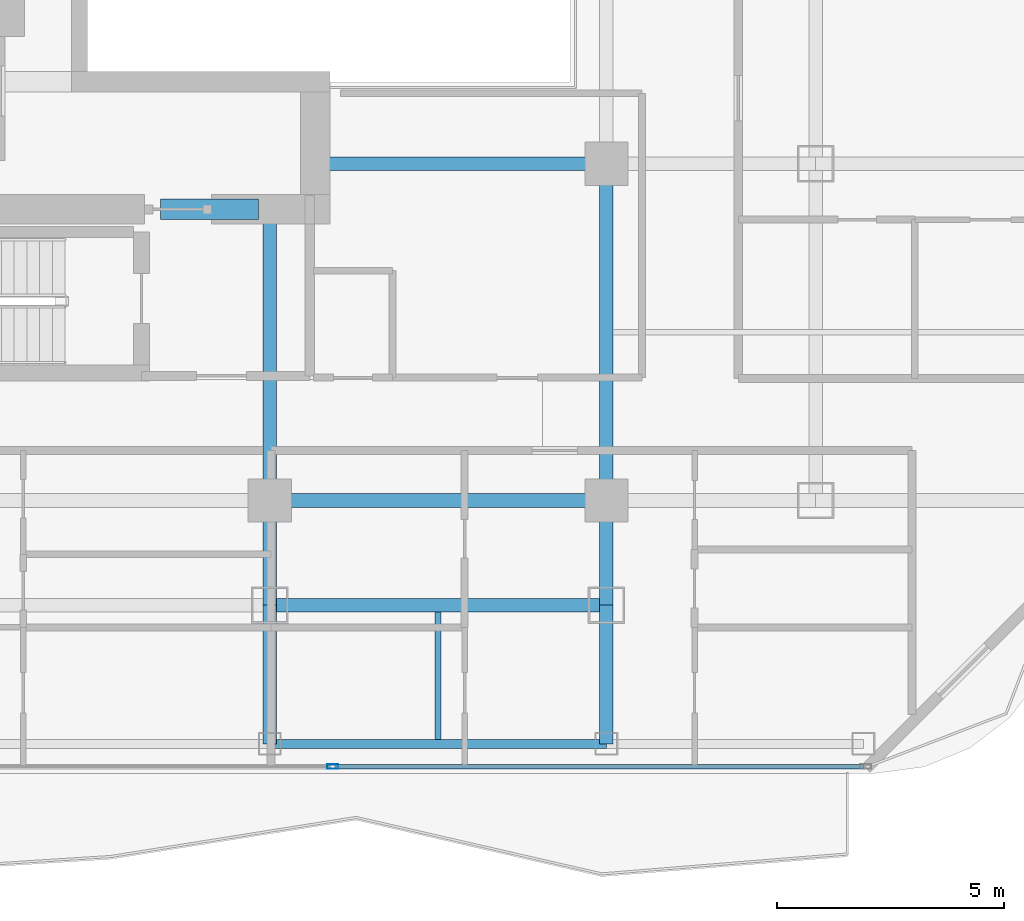
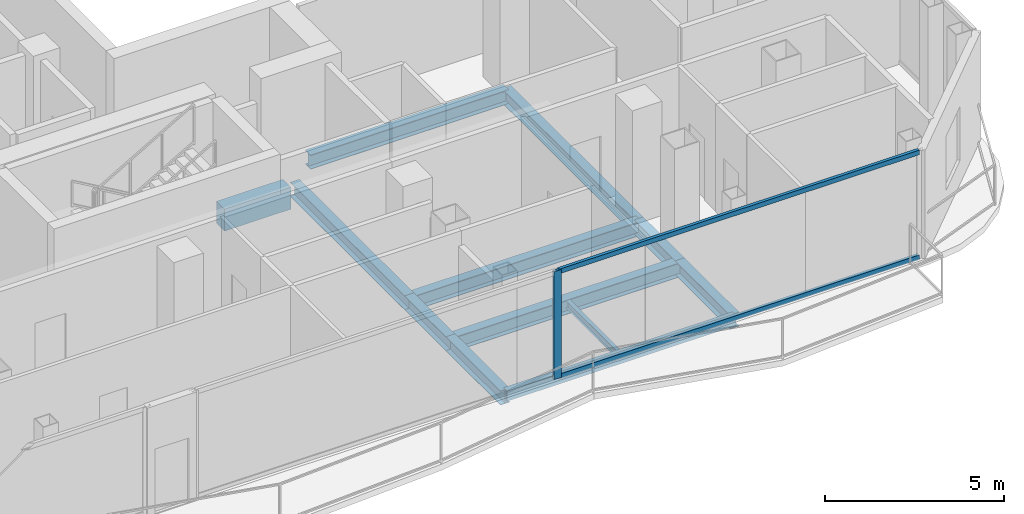
# One storey, part 4 of 23: 12 beams, 3 members, 1 element without a shape of its own.
"""IFC4 building model written with IfcOpenShell, lengths in metres."""

from ifc_helpers import new_model, si_unit, direction, frame, origin, origin_2d, place, context, subcontext, project, spatial, rectangle, hollow_rectangle, i_section, extrude, material, layer, layer_set, material_profile, profile_set, type_object, element, aggregate, save


model = new_model("IFC4")

# Units and contexts
model_context = context("Model", 3, precision=1e-05, world=origin(), true_north=direction((0.0, 1.0)))
body_context = subcontext(model_context, "Body", "Model", "MODEL_VIEW")
ifc_project = project(units=[si_unit("LENGTHUNIT", "METRE"), si_unit("AREAUNIT", "SQUARE_METRE"), si_unit("VOLUMEUNIT", "CUBIC_METRE"), si_unit("PLANEANGLEUNIT", "RADIAN"), si_unit("MASSUNIT", "GRAM", prefix="KILO")], contexts=[model_context])

# Site, building, storey
site_placement = place(None, origin())
site = spatial("IfcSite", under=ifc_project, at=site_placement, CompositionType="ELEMENT")
building_placement = place(site_placement, origin())
building = spatial("IfcBuilding", under=site, at=building_placement, Name="Khorvyn Point Tower", CompositionType="ELEMENT")
storey_placement = place(building_placement, frame((0.0, 0.0, 258.60009765625)))
storey = spatial("IfcBuildingStorey", under=building, at=storey_placement, Name="L63", CompositionType="ELEMENT", Elevation=258.60009765625)

# Curtain wall, members
ifc_material_1 = material(Name="Anodised aluminium 6063-T6 and laminated Low-E glass", Category="aluminium")
ifc_layer = layer(ifc_material_1, 0.18994140625)
ifc_layer_set = layer_set([ifc_layer], Name="Stick-Built High-Wind Curtain Wall CW-SYS-04")
curtain_wall_type = type_object("IfcCurtainWallType", Name="Stick-Built High-Wind Curtain Wall CW-SYS-04", PredefinedType="NOTDEFINED", material=ifc_layer_set)
curtain_wall_placement = place(storey_placement, origin())
curtain_wall = element("IfcCurtainWall", 1, at=curtain_wall_placement, inside=storey, type_object=curtain_wall_type, Name="Curtain Wall", PredefinedType="NOTDEFINED")
ifc_material_2 = material(Name="Anodised aluminium 6063-T6", Category="aluminium")
ifc_material_profile_1 = material_profile(ifc_material_2, hollow_rectangle(XDim=0.10009765625, YDim=0.239990234375, WallThickness=0.0048828125, at=origin_2d()))
ifc_profile_set_1 = profile_set([ifc_material_profile_1], Name="Anodised aluminium 6063-T6 ALU-MUL-100x240")
member_type_1 = type_object("IfcMemberType", Name="Anodised Aluminium 6063-T6 Mullion ALU-MUL-100x240", PredefinedType="MULLION", material=ifc_profile_set_1)
member_1_placement = place(storey_placement, frame((8.782958984375, -20.64990234375, 0.0), z_axis=(0.0, 0.0, 1.0), x_axis=(0.0, -1.0, 0.0)))
member_1 = element("IfcMember", 2, at=member_1_placement, type_object=member_type_1, Name="Transom", PredefinedType="MULLION", context=body_context, shape_type="SweptSolid", body=[
    extrude(hollow_rectangle(XDim=0.10009765625, YDim=0.239990234375, WallThickness=0.0048828125, at=origin_2d()), origin(), (0.0, 0.0, 1.0), 3.679931640625),
])
ifc_material_profile_2 = material_profile(ifc_material_2, hollow_rectangle(XDim=0.10009765625, YDim=0.159912109375, WallThickness=0.00439453125, at=origin_2d()))
ifc_profile_set_2 = profile_set([ifc_material_profile_2], Name="Anodised aluminium 6063-T6 ALU-TRN-100x160")
member_type_2 = type_object("IfcMemberType", Name="Anodised Aluminium 6063-T6 Transom ALU-TRN-100x160", PredefinedType="USERDEFINED", material=ifc_profile_set_2)
member_2_placement = place(storey_placement, frame((20.449951171875, -20.64990234375, 0.0498046875), z_axis=(-1.0, 0.0, 0.0), x_axis=(0.0, -1.0, 0.0)))
member_2 = element("IfcMember", 3, at=member_2_placement, type_object=member_type_2, Name="Transom", ObjectType="TRANSOM", PredefinedType="USERDEFINED", context=body_context, shape_type="SweptSolid", body=[
    extrude(hollow_rectangle(XDim=0.10009765625, YDim=0.159912109375, WallThickness=0.00439453125, at=origin_2d()), origin(), (0.0, 0.0, 1.0), 11.616943359375),
])
member_3_placement = place(storey_placement, frame((20.449951171875, -20.64990234375, 3.6298828125), z_axis=(-1.0, 0.0, 0.0), x_axis=(0.0, -1.0, 0.0)))
member_3 = element("IfcMember", 4, at=member_3_placement, type_object=member_type_2, Name="Transom", ObjectType="TRANSOM", PredefinedType="USERDEFINED", context=body_context, shape_type="SweptSolid", body=[
    extrude(hollow_rectangle(XDim=0.10009765625, YDim=0.159912109375, WallThickness=0.00439453125, at=origin_2d()), origin(), (0.0, 0.0, 1.0), 11.616943359375),
])
aggregate(curtain_wall, [member_1, member_2, member_3])

# Beams
ifc_material_3 = material(Name="Concrete C40/50", Category="concrete")
ifc_material_profile_3 = material_profile(ifc_material_3, rectangle(XDim=0.449951171875, YDim=0.75, at=origin_2d()))
ifc_profile_set_3 = profile_set([ifc_material_profile_3], Name="Concrete C40/50 RC450x750")
beam_type_1 = type_object("IfcBeamType", Name="Concrete C40/50 Beam RC450x750", PredefinedType="BEAM", material=ifc_profile_set_3)
beam_1_placement = place(storey_placement, frame((5.0, -8.39990234375, -0.59521484375), z_axis=(1.0, 0.0, 0.0), x_axis=(0.0, 1.0, 0.0)))
element("IfcBeam", 5, at=beam_1_placement, inside=storey, type_object=beam_type_1, Name="L63 Core Southeast Portal Coupling Beam", PredefinedType="BEAM", context=body_context, shape_type="SweptSolid", body=[
    extrude(rectangle(XDim=0.449951171875, YDim=0.75, at=origin_2d()), origin(), (0.0, 0.0, 1.0), 2.14990234375),
])
ifc_material_4 = material(Name="Steel S355", Category="steel")
ifc_material_profile_4 = material_profile(ifc_material_4, i_section(OverallWidth=0.125, OverallDepth=0.25, WebThickness=0.006103515625, FlangeThickness=0.009033203125, at=origin_2d()))
ifc_profile_set_4 = profile_set([ifc_material_profile_4], Name="Steel S355 H250x125x6x9")
beam_type_2 = type_object("IfcBeamType", Name="Steel S355 Joist H250x125x6x9", PredefinedType="JOIST", material=ifc_profile_set_4)
beam_2_placement = place(storey_placement, frame((11.10009765625, -20.050048828125, -0.34521484375), z_axis=(0.0, 1.0, 0.0), x_axis=(-1.0, 0.0, 0.0)))
element("IfcBeam", 6, at=beam_2_placement, inside=storey, type_object=beam_type_2, Name="Beam", PredefinedType="JOIST", context=body_context, shape_type="SweptSolid", body=[
    extrude(i_section(OverallWidth=0.125, OverallDepth=0.25, WebThickness=0.006103515625, FlangeThickness=0.009033203125, at=origin_2d()), origin(), (0.0, 0.0, 1.0), 2.800048828125),
])
ifc_material_profile_5 = material_profile(ifc_material_4, i_section(OverallWidth=0.300048828125, OverallDepth=0.488037109375, WebThickness=0.010986328125, FlangeThickness=0.01806640625, at=origin_2d()))
ifc_profile_set_5 = profile_set([ifc_material_profile_5], Name="Steel S355 H488x300x11x18")
beam_type_3 = type_object("IfcBeamType", Name="Steel S355 Spandrel H488x300x11x18", PredefinedType="SPANDREL", material=ifc_profile_set_5)
beam_3_placement = place(storey_placement, frame((7.39990234375, -14.800048828125, -0.464111328125), z_axis=(1.0, 0.0, 0.0), x_axis=(0.0, 1.0, 0.0)))
element("IfcBeam", 7, at=beam_3_placement, inside=storey, type_object=beam_type_3, Name="Beam", PredefinedType="SPANDREL", context=body_context, shape_type="SweptSolid", body=[
    extrude(i_section(OverallWidth=0.300048828125, OverallDepth=0.488037109375, WebThickness=0.010986328125, FlangeThickness=0.01806640625, at=origin_2d()), origin(), (0.0, 0.0, 1.0), 7.400146484375),
])
beam_4_placement = place(storey_placement, frame((8.39990234375, -7.39990234375, -0.464111328125), z_axis=(1.0, 0.0, 0.0), x_axis=(0.0, 1.0, 0.0)))
element("IfcBeam", 8, at=beam_4_placement, inside=storey, type_object=beam_type_3, Name="Beam", PredefinedType="SPANDREL", context=body_context, shape_type="SweptSolid", body=[
    extrude(i_section(OverallWidth=0.300048828125, OverallDepth=0.488037109375, WebThickness=0.010986328125, FlangeThickness=0.01806640625, at=origin_2d()), origin(), (0.0, 0.0, 1.0), 6.400146484375),
])
beam_5_placement = place(storey_placement, frame((7.39990234375, -17.10009765625, -0.464111328125), z_axis=(1.0, 0.0, 0.0), x_axis=(0.0, 1.0, 0.0)))
element("IfcBeam", 9, at=beam_5_placement, inside=storey, type_object=beam_type_3, Name="Beam", PredefinedType="SPANDREL", context=body_context, shape_type="SweptSolid", body=[
    extrude(i_section(OverallWidth=0.300048828125, OverallDepth=0.488037109375, WebThickness=0.010986328125, FlangeThickness=0.01806640625, at=origin_2d()), origin(), (0.0, 0.0, 1.0), 7.400146484375),
])
beam_6_placement = place(storey_placement, frame((14.800048828125, -20.14990234375, -0.464111328125), z_axis=(0.0, 1.0, 0.0), x_axis=(-1.0, 0.0, 0.0)))
element("IfcBeam", 10, at=beam_6_placement, inside=storey, type_object=beam_type_3, Name="Beam", PredefinedType="SPANDREL", context=body_context, shape_type="SweptSolid", body=[
    extrude(i_section(OverallWidth=0.300048828125, OverallDepth=0.488037109375, WebThickness=0.010986328125, FlangeThickness=0.01806640625, at=origin_2d()), origin(), (0.0, 0.0, 1.0), 3.0498046875),
])
beam_7_placement = place(storey_placement, frame((14.800048828125, -17.10009765625, -0.464111328125), z_axis=(0.0, 1.0, 0.0), x_axis=(-1.0, 0.0, 0.0)))
element("IfcBeam", 11, at=beam_7_placement, inside=storey, type_object=beam_type_3, Name="Beam", PredefinedType="SPANDREL", context=body_context, shape_type="SweptSolid", body=[
    extrude(i_section(OverallWidth=0.300048828125, OverallDepth=0.488037109375, WebThickness=0.010986328125, FlangeThickness=0.01806640625, at=origin_2d()), origin(), (0.0, 0.0, 1.0), 2.300048828125),
])
beam_8_placement = place(storey_placement, frame((14.800048828125, -14.800048828125, -0.464111328125), z_axis=(0.0, 1.0, 0.0), x_axis=(-1.0, 0.0, 0.0)))
element("IfcBeam", 12, at=beam_8_placement, inside=storey, type_object=beam_type_3, Name="Beam", PredefinedType="SPANDREL", context=body_context, shape_type="SweptSolid", body=[
    extrude(i_section(OverallWidth=0.300048828125, OverallDepth=0.488037109375, WebThickness=0.010986328125, FlangeThickness=0.01806640625, at=origin_2d()), origin(), (0.0, 0.0, 1.0), 7.400146484375),
])
beam_9_placement = place(storey_placement, frame((7.39990234375, -20.14990234375, -0.464111328125), z_axis=(0.0, 1.0, 0.0), x_axis=(-1.0, 0.0, 0.0)))
element("IfcBeam", 13, at=beam_9_placement, inside=storey, type_object=beam_type_3, Name="Beam", PredefinedType="SPANDREL", context=body_context, shape_type="SweptSolid", body=[
    extrude(i_section(OverallWidth=0.300048828125, OverallDepth=0.488037109375, WebThickness=0.010986328125, FlangeThickness=0.01806640625, at=origin_2d()), origin(), (0.0, 0.0, 1.0), 3.0498046875),
])
beam_10_placement = place(storey_placement, frame((7.39990234375, -17.10009765625, -0.464111328125), z_axis=(0.0, 1.0, 0.0), x_axis=(-1.0, 0.0, 0.0)))
element("IfcBeam", 14, at=beam_10_placement, inside=storey, type_object=beam_type_3, Name="Beam", PredefinedType="SPANDREL", context=body_context, shape_type="SweptSolid", body=[
    extrude(i_section(OverallWidth=0.300048828125, OverallDepth=0.488037109375, WebThickness=0.010986328125, FlangeThickness=0.01806640625, at=origin_2d()), origin(), (0.0, 0.0, 1.0), 2.300048828125),
])
beam_11_placement = place(storey_placement, frame((7.39990234375, -14.800048828125, -0.464111328125), z_axis=(0.0, 1.0, 0.0), x_axis=(-1.0, 0.0, 0.0)))
element("IfcBeam", 15, at=beam_11_placement, inside=storey, type_object=beam_type_3, Name="Beam", PredefinedType="SPANDREL", context=body_context, shape_type="SweptSolid", body=[
    extrude(i_section(OverallWidth=0.300048828125, OverallDepth=0.488037109375, WebThickness=0.010986328125, FlangeThickness=0.01806640625, at=origin_2d()), origin(), (0.0, 0.0, 1.0), 6.400146484375),
])
ifc_material_profile_6 = material_profile(ifc_material_4, hollow_rectangle(XDim=0.199951171875, YDim=0.35009765625, WallThickness=0.013916015625, at=origin_2d()))
ifc_profile_set_6 = profile_set([ifc_material_profile_6], Name="Steel S355 RHS350x200x14")
beam_type_4 = type_object("IfcBeamType", Name="Steel S355 Spandrel RHS350x200x14", PredefinedType="SPANDREL", material=ifc_profile_set_6)
beam_12_placement = place(storey_placement, frame((7.39990234375, -20.14990234375, -0.39501953125), z_axis=(1.0, 0.0, 0.0), x_axis=(0.0, 1.0, 0.0)))
element("IfcBeam", 16, at=beam_12_placement, inside=storey, type_object=beam_type_4, Name="Beam", PredefinedType="SPANDREL", context=body_context, shape_type="SweptSolid", body=[
    extrude(hollow_rectangle(XDim=0.199951171875, YDim=0.35009765625, WallThickness=0.013916015625, at=origin_2d()), origin(), (0.0, 0.0, 1.0), 7.400146484375),
])

save(model, "model.ifc")
